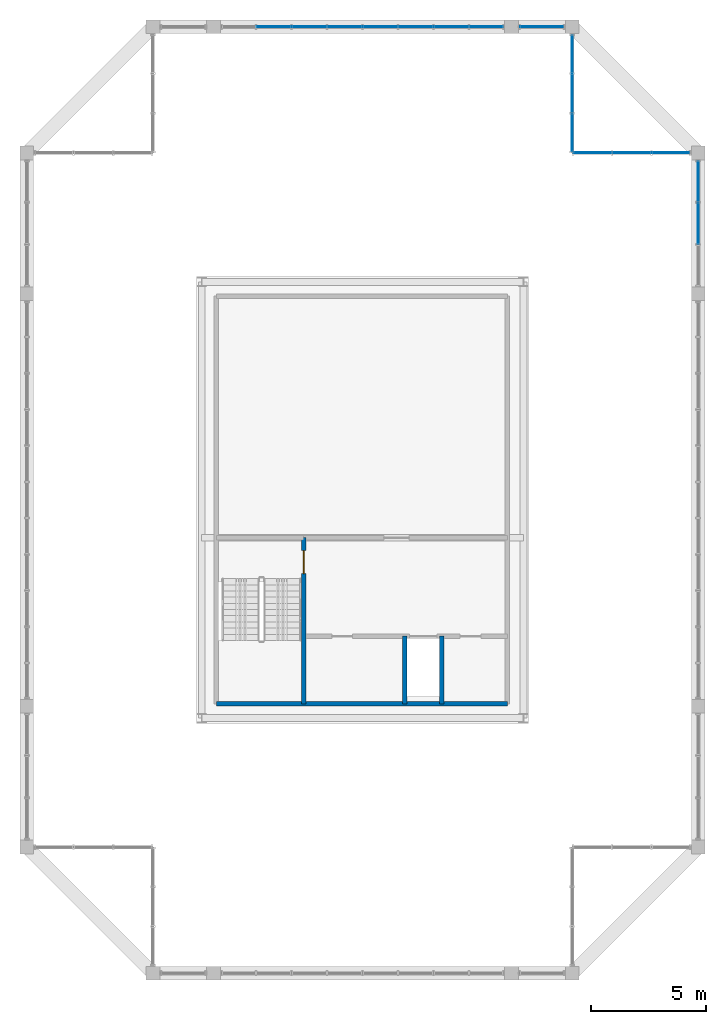
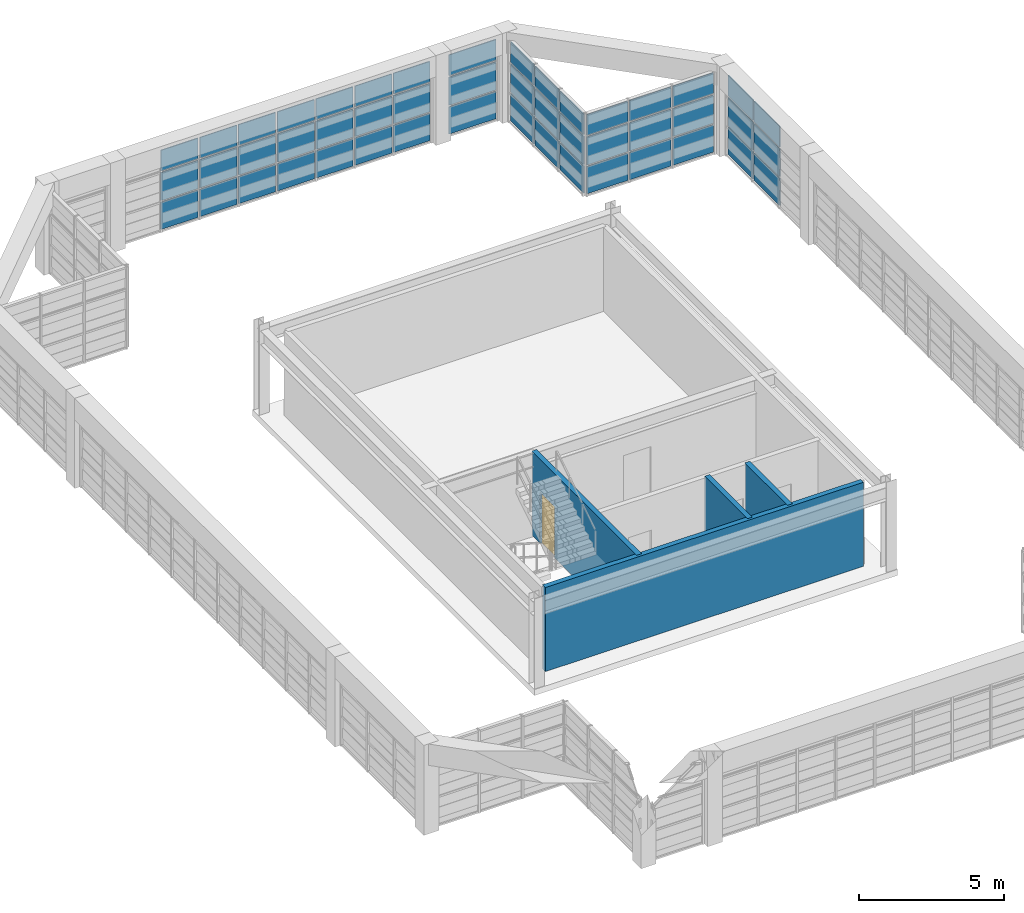
# One storey, part 23 of 27: 48 plates, 4 walls, 1 door, 1 opening, 5 elements without a shape of their own.
"""IFC4 building model written with IfcOpenShell, lengths in metres."""

from ifc_helpers import new_model, si_unit, direction, frame, frame_2d, origin, origin_2d, place, context, subcontext, project, spatial, rectangle, extrude, source, transform, mapped, material, layer, layer_set, type_object, element, fill, aggregate, save


model = new_model("IFC4")

# Units and contexts
model_context = context("Model", 3, precision=1e-05, world=origin(), true_north=direction((0.0, 1.0)))
body_context = subcontext(model_context, "Body", "Model", "MODEL_VIEW")
ifc_project = project(units=[si_unit("LENGTHUNIT", "METRE"), si_unit("AREAUNIT", "SQUARE_METRE"), si_unit("VOLUMEUNIT", "CUBIC_METRE"), si_unit("PLANEANGLEUNIT", "RADIAN"), si_unit("MASSUNIT", "GRAM", prefix="KILO")], contexts=[model_context])

# Site, building, storey
site_placement = place(None, origin())
site = spatial("IfcSite", under=ifc_project, at=site_placement, CompositionType="ELEMENT")
building_placement = place(site_placement, origin())
building = spatial("IfcBuilding", under=site, at=building_placement, Name="Saelheon Loggia Tower", CompositionType="ELEMENT")
storey_placement = place(building_placement, frame((0.0, 0.0, 263.60009765625)))
storey = spatial("IfcBuildingStorey", under=building, at=storey_placement, Name="CR4", CompositionType="ELEMENT", Elevation=263.60009765625)

# Curtain wall, plates
ifc_material_1 = material(Name="Bronze-Anodised Aluminium and Fritted Ceramic Screen", Category="aluminium")
ifc_layer_1 = layer(ifc_material_1, 0.219970703125)
ifc_layer_set_1 = layer_set([ifc_layer_1], Name="Bronze-Anodised Aluminium and Fritted Ceramic Screen")
curtain_wall_type = type_object("IfcCurtainWallType", Name="CW_CrownScreen", PredefinedType="NOTDEFINED", material=ifc_layer_set_1)
curtain_wall_1_placement = place(storey_placement, origin())
curtain_wall_1 = element("IfcCurtainWall", 1, at=curtain_wall_1_placement, inside=storey, type_object=curtain_wall_type, Name="CR4 Crown Screen Curtain Wall 6-1", PredefinedType="NOTDEFINED")
ifc_material_2 = material(Name="Bronze Ceramic Fritted Spandrel Panel", Category="aluminium")
ifc_layer_2 = layer(ifc_material_2, 0.0380859375)
ifc_layer_set_2 = layer_set([ifc_layer_2], Name="Bronze Ceramic Fritted Spandrel Panel")
plate_type = type_object("IfcPlateType", Name="CW_CrownScreen_Panel", PredefinedType="CURTAIN_PANEL", material=ifc_layer_set_2)
shared_shape_1 = source(origin(), body_context, "Body", "SweptSolid", [
    extrude(rectangle(XDim=1.889892578125, YDim=0.0380859375, at=origin_2d()), origin(), (0.0, 0.0, 1.0), 1.14501953125),
])
plate_1_placement = place(storey_placement, frame((45.824951171875, 47.64990234375, 0.06982421875), z_axis=(0.0, 0.0, 1.0), x_axis=(-1.0, 0.0, 0.0)))
plate_1 = element("IfcPlate", 2, at=plate_1_placement, type_object=plate_type, Name="CW6 panel 1.1", PredefinedType="CURTAIN_PANEL", context=body_context, shape_type="MappedRepresentation", body=[
    mapped(shared_shape_1, transform((0.0, 0.0, 0.0), scale=1.0)),
])
shared_shape_2 = source(origin(), body_context, "Body", "SweptSolid", [
    extrude(rectangle(XDim=1.889892578125, YDim=0.0380859375, at=origin_2d()), origin(), (0.0, 0.0, 1.0), 1.179931640625),
])
plate_2_placement = place(storey_placement, frame((45.824951171875, 47.64990234375, 1.28515625), z_axis=(0.0, 0.0, 1.0), x_axis=(-1.0, 0.0, 0.0)))
plate_2 = element("IfcPlate", 3, at=plate_2_placement, type_object=plate_type, Name="CW6 panel 1.2", PredefinedType="CURTAIN_PANEL", context=body_context, shape_type="MappedRepresentation", body=[
    mapped(shared_shape_2, transform((0.0, 0.0, 0.0), scale=1.0)),
])
shared_shape_3 = source(origin(), body_context, "Body", "SweptSolid", [
    extrude(rectangle(XDim=1.889892578125, YDim=0.0380859375, at=origin_2d()), origin(), (0.0, 0.0, 1.0), 0.875),
])
plate_3_placement = place(storey_placement, frame((45.824951171875, 47.64990234375, 2.534912109375), z_axis=(0.0, 0.0, 1.0), x_axis=(-1.0, 0.0, 0.0)))
plate_3 = element("IfcPlate", 4, at=plate_3_placement, type_object=plate_type, Name="CW6 panel 1.3", PredefinedType="CURTAIN_PANEL", context=body_context, shape_type="MappedRepresentation", body=[
    mapped(shared_shape_3, transform((0.0, 0.0, 0.0), scale=1.0)),
])
aggregate(curtain_wall_1, [plate_1, plate_2, plate_3])

curtain_wall_2_placement = place(storey_placement, origin())
curtain_wall_2 = element("IfcCurtainWall", 5, at=curtain_wall_2_placement, inside=storey, type_object=curtain_wall_type, Name="CR4 Crown Screen Curtain Wall 6-2", PredefinedType="NOTDEFINED")
shared_shape_4 = source(origin(), body_context, "Body", "SweptSolid", [
    extrude(rectangle(XDim=1.4423828125, YDim=0.0380859375, at=origin_2d()), origin(), (0.0, 0.0, 1.0), 1.14501953125),
])
plate_4_placement = place(storey_placement, frame((43.398681640625, 47.64990234375, 0.06982421875), z_axis=(0.0, 0.0, 1.0), x_axis=(-1.0, 0.0, 0.0)))
plate_4 = element("IfcPlate", 6, at=plate_4_placement, type_object=plate_type, Name="CW6 panel 1.1", PredefinedType="CURTAIN_PANEL", context=body_context, shape_type="MappedRepresentation", body=[
    mapped(shared_shape_4, transform((0.0, 0.0, 0.0), scale=1.0)),
])
shared_shape_5 = source(origin(), body_context, "Body", "SweptSolid", [
    extrude(rectangle(XDim=1.4423828125, YDim=0.0380859375, at=origin_2d()), origin(), (0.0, 0.0, 1.0), 1.179931640625),
])
plate_5_placement = place(storey_placement, frame((43.398681640625, 47.64990234375, 1.28515625), z_axis=(0.0, 0.0, 1.0), x_axis=(-1.0, 0.0, 0.0)))
plate_5 = element("IfcPlate", 7, at=plate_5_placement, type_object=plate_type, Name="CW6 panel 1.2", PredefinedType="CURTAIN_PANEL", context=body_context, shape_type="MappedRepresentation", body=[
    mapped(shared_shape_5, transform((0.0, 0.0, 0.0), scale=1.0)),
])
shared_shape_6 = source(origin(), body_context, "Body", "SweptSolid", [
    extrude(rectangle(XDim=1.4423828125, YDim=0.0380859375, at=origin_2d()), origin(), (0.0, 0.0, 1.0), 0.875),
])
plate_6_placement = place(storey_placement, frame((43.398681640625, 47.64990234375, 2.534912109375), z_axis=(0.0, 0.0, 1.0), x_axis=(-1.0, 0.0, 0.0)))
plate_6 = element("IfcPlate", 8, at=plate_6_placement, type_object=plate_type, Name="CW6 panel 1.3", PredefinedType="CURTAIN_PANEL", context=body_context, shape_type="MappedRepresentation", body=[
    mapped(shared_shape_6, transform((0.0, 0.0, 0.0), scale=1.0)),
])
shared_shape_7 = source(origin(), body_context, "Body", "SweptSolid", [
    extrude(rectangle(XDim=1.4775390625, YDim=0.0380859375, at=origin_2d()), origin(), (0.0, 0.0, 1.0), 1.14501953125),
])
plate_7_placement = place(storey_placement, frame((41.86865234375, 47.64990234375, 0.06982421875), z_axis=(0.0, 0.0, 1.0), x_axis=(-1.0, 0.0, 0.0)))
plate_7 = element("IfcPlate", 9, at=plate_7_placement, type_object=plate_type, Name="CW6 panel 2.1", PredefinedType="CURTAIN_PANEL", context=body_context, shape_type="MappedRepresentation", body=[
    mapped(shared_shape_7, transform((0.0, 0.0, 0.0), scale=1.0)),
])
plate_8_placement = place(storey_placement, frame((40.3212890625, 47.64990234375, 0.06982421875), z_axis=(0.0, 0.0, 1.0), x_axis=(-1.0, 0.0, 0.0)))
plate_8 = element("IfcPlate", 10, at=plate_8_placement, type_object=plate_type, Name="CW6 panel 3.1", PredefinedType="CURTAIN_PANEL", context=body_context, shape_type="MappedRepresentation", body=[
    mapped(shared_shape_7, transform((0.0, 0.0, 0.0), scale=1.0)),
])
plate_9_placement = place(storey_placement, frame((38.773681640625, 47.64990234375, 0.06982421875), z_axis=(0.0, 0.0, 1.0), x_axis=(-1.0, 0.0, 0.0)))
plate_9 = element("IfcPlate", 11, at=plate_9_placement, type_object=plate_type, Name="CW6 panel 4.1", PredefinedType="CURTAIN_PANEL", context=body_context, shape_type="MappedRepresentation", body=[
    mapped(shared_shape_7, transform((0.0, 0.0, 0.0), scale=1.0)),
])
plate_10_placement = place(storey_placement, frame((37.226318359375, 47.64990234375, 0.06982421875), z_axis=(0.0, 0.0, 1.0), x_axis=(-1.0, 0.0, 0.0)))
plate_10 = element("IfcPlate", 12, at=plate_10_placement, type_object=plate_type, Name="CW6 panel 5.1", PredefinedType="CURTAIN_PANEL", context=body_context, shape_type="MappedRepresentation", body=[
    mapped(shared_shape_7, transform((0.0, 0.0, 0.0), scale=1.0)),
])
plate_11_placement = place(storey_placement, frame((35.6787109375, 47.64990234375, 0.06982421875), z_axis=(0.0, 0.0, 1.0), x_axis=(-1.0, 0.0, 0.0)))
plate_11 = element("IfcPlate", 13, at=plate_11_placement, type_object=plate_type, Name="CW6 panel 6.1", PredefinedType="CURTAIN_PANEL", context=body_context, shape_type="MappedRepresentation", body=[
    mapped(shared_shape_7, transform((0.0, 0.0, 0.0), scale=1.0)),
])
plate_12_placement = place(storey_placement, frame((34.13134765625, 47.64990234375, 0.06982421875), z_axis=(0.0, 0.0, 1.0), x_axis=(-1.0, 0.0, 0.0)))
plate_12 = element("IfcPlate", 14, at=plate_12_placement, type_object=plate_type, Name="CW6 panel 7.1", PredefinedType="CURTAIN_PANEL", context=body_context, shape_type="MappedRepresentation", body=[
    mapped(shared_shape_7, transform((0.0, 0.0, 0.0), scale=1.0)),
])
shared_shape_8 = source(origin(), body_context, "Body", "SweptSolid", [
    extrude(rectangle(XDim=1.4775390625, YDim=0.0380859375, at=origin_2d()), origin(), (0.0, 0.0, 1.0), 1.179931640625),
])
plate_13_placement = place(storey_placement, frame((41.86865234375, 47.64990234375, 1.28515625), z_axis=(0.0, 0.0, 1.0), x_axis=(-1.0, 0.0, 0.0)))
plate_13 = element("IfcPlate", 15, at=plate_13_placement, type_object=plate_type, Name="CW6 panel 2.2", PredefinedType="CURTAIN_PANEL", context=body_context, shape_type="MappedRepresentation", body=[
    mapped(shared_shape_8, transform((0.0, 0.0, 0.0), scale=1.0)),
])
plate_14_placement = place(storey_placement, frame((40.3212890625, 47.64990234375, 1.28515625), z_axis=(0.0, 0.0, 1.0), x_axis=(-1.0, 0.0, 0.0)))
plate_14 = element("IfcPlate", 16, at=plate_14_placement, type_object=plate_type, Name="CW6 panel 3.2", PredefinedType="CURTAIN_PANEL", context=body_context, shape_type="MappedRepresentation", body=[
    mapped(shared_shape_8, transform((0.0, 0.0, 0.0), scale=1.0)),
])
plate_15_placement = place(storey_placement, frame((38.773681640625, 47.64990234375, 1.28515625), z_axis=(0.0, 0.0, 1.0), x_axis=(-1.0, 0.0, 0.0)))
plate_15 = element("IfcPlate", 17, at=plate_15_placement, type_object=plate_type, Name="CW6 panel 4.2", PredefinedType="CURTAIN_PANEL", context=body_context, shape_type="MappedRepresentation", body=[
    mapped(shared_shape_8, transform((0.0, 0.0, 0.0), scale=1.0)),
])
plate_16_placement = place(storey_placement, frame((37.226318359375, 47.64990234375, 1.28515625), z_axis=(0.0, 0.0, 1.0), x_axis=(-1.0, 0.0, 0.0)))
plate_16 = element("IfcPlate", 18, at=plate_16_placement, type_object=plate_type, Name="CW6 panel 5.2", PredefinedType="CURTAIN_PANEL", context=body_context, shape_type="MappedRepresentation", body=[
    mapped(shared_shape_8, transform((0.0, 0.0, 0.0), scale=1.0)),
])
plate_17_placement = place(storey_placement, frame((35.6787109375, 47.64990234375, 1.28515625), z_axis=(0.0, 0.0, 1.0), x_axis=(-1.0, 0.0, 0.0)))
plate_17 = element("IfcPlate", 19, at=plate_17_placement, type_object=plate_type, Name="CW6 panel 6.2", PredefinedType="CURTAIN_PANEL", context=body_context, shape_type="MappedRepresentation", body=[
    mapped(shared_shape_8, transform((0.0, 0.0, 0.0), scale=1.0)),
])
plate_18_placement = place(storey_placement, frame((34.13134765625, 47.64990234375, 1.28515625), z_axis=(0.0, 0.0, 1.0), x_axis=(-1.0, 0.0, 0.0)))
plate_18 = element("IfcPlate", 20, at=plate_18_placement, type_object=plate_type, Name="CW6 panel 7.2", PredefinedType="CURTAIN_PANEL", context=body_context, shape_type="MappedRepresentation", body=[
    mapped(shared_shape_8, transform((0.0, 0.0, 0.0), scale=1.0)),
])
shared_shape_9 = source(origin(), body_context, "Body", "SweptSolid", [
    extrude(rectangle(XDim=1.4775390625, YDim=0.0380859375, at=origin_2d()), origin(), (0.0, 0.0, 1.0), 0.875),
])
plate_19_placement = place(storey_placement, frame((41.86865234375, 47.64990234375, 2.534912109375), z_axis=(0.0, 0.0, 1.0), x_axis=(-1.0, 0.0, 0.0)))
plate_19 = element("IfcPlate", 21, at=plate_19_placement, type_object=plate_type, Name="CW6 panel 2.3", PredefinedType="CURTAIN_PANEL", context=body_context, shape_type="MappedRepresentation", body=[
    mapped(shared_shape_9, transform((0.0, 0.0, 0.0), scale=1.0)),
])
plate_20_placement = place(storey_placement, frame((40.3212890625, 47.64990234375, 2.534912109375), z_axis=(0.0, 0.0, 1.0), x_axis=(-1.0, 0.0, 0.0)))
plate_20 = element("IfcPlate", 22, at=plate_20_placement, type_object=plate_type, Name="CW6 panel 3.3", PredefinedType="CURTAIN_PANEL", context=body_context, shape_type="MappedRepresentation", body=[
    mapped(shared_shape_9, transform((0.0, 0.0, 0.0), scale=1.0)),
])
plate_21_placement = place(storey_placement, frame((38.773681640625, 47.64990234375, 2.534912109375), z_axis=(0.0, 0.0, 1.0), x_axis=(-1.0, 0.0, 0.0)))
plate_21 = element("IfcPlate", 23, at=plate_21_placement, type_object=plate_type, Name="CW6 panel 4.3", PredefinedType="CURTAIN_PANEL", context=body_context, shape_type="MappedRepresentation", body=[
    mapped(shared_shape_9, transform((0.0, 0.0, 0.0), scale=1.0)),
])
plate_22_placement = place(storey_placement, frame((37.226318359375, 47.64990234375, 2.534912109375), z_axis=(0.0, 0.0, 1.0), x_axis=(-1.0, 0.0, 0.0)))
plate_22 = element("IfcPlate", 24, at=plate_22_placement, type_object=plate_type, Name="CW6 panel 5.3", PredefinedType="CURTAIN_PANEL", context=body_context, shape_type="MappedRepresentation", body=[
    mapped(shared_shape_9, transform((0.0, 0.0, 0.0), scale=1.0)),
])
plate_23_placement = place(storey_placement, frame((35.6787109375, 47.64990234375, 2.534912109375), z_axis=(0.0, 0.0, 1.0), x_axis=(-1.0, 0.0, 0.0)))
plate_23 = element("IfcPlate", 25, at=plate_23_placement, type_object=plate_type, Name="CW6 panel 6.3", PredefinedType="CURTAIN_PANEL", context=body_context, shape_type="MappedRepresentation", body=[
    mapped(shared_shape_9, transform((0.0, 0.0, 0.0), scale=1.0)),
])
plate_24_placement = place(storey_placement, frame((34.13134765625, 47.64990234375, 2.534912109375), z_axis=(0.0, 0.0, 1.0), x_axis=(-1.0, 0.0, 0.0)))
plate_24 = element("IfcPlate", 26, at=plate_24_placement, type_object=plate_type, Name="CW6 panel 7.3", PredefinedType="CURTAIN_PANEL", context=body_context, shape_type="MappedRepresentation", body=[
    mapped(shared_shape_9, transform((0.0, 0.0, 0.0), scale=1.0)),
])
aggregate(curtain_wall_2, [plate_4, plate_5, plate_6, plate_7, plate_13, plate_19, plate_8, plate_14, plate_20, plate_9, plate_15, plate_21, plate_10, plate_16, plate_22, plate_11, plate_17, plate_23, plate_12, plate_18, plate_24])

curtain_wall_3_placement = place(storey_placement, origin())
curtain_wall_3 = element("IfcCurtainWall", 27, at=curtain_wall_3_placement, inside=storey, type_object=curtain_wall_type, Name="CR4 Crown Screen Curtain Wall 4-1", PredefinedType="NOTDEFINED")
shared_shape_10 = source(origin(), body_context, "Body", "SweptSolid", [
    extrude(rectangle(XDim=1.625, YDim=0.0380859375, at=origin_2d()), origin(), (0.0, 0.0, 1.0), 1.14501953125),
])
plate_25_placement = place(storey_placement, frame((51.45751953125, 42.14990234375, 0.06982421875), z_axis=(0.0, 0.0, 1.0), x_axis=(-1.0, 0.0, 0.0)))
plate_25 = element("IfcPlate", 28, at=plate_25_placement, type_object=plate_type, Name="CW6 panel 1.1", PredefinedType="CURTAIN_PANEL", context=body_context, shape_type="MappedRepresentation", body=[
    mapped(shared_shape_10, transform((0.0, 0.0, 0.0), scale=1.0)),
])
plate_26_placement = place(storey_placement, frame((48.032470703125, 42.14990234375, 0.06982421875), z_axis=(0.0, 0.0, 1.0), x_axis=(-1.0, 0.0, 0.0)))
plate_26 = element("IfcPlate", 29, at=plate_26_placement, type_object=plate_type, Name="CW6 panel 3.1", PredefinedType="CURTAIN_PANEL", context=body_context, shape_type="MappedRepresentation", body=[
    mapped(shared_shape_10, transform((0.0, 0.0, 0.0), scale=1.0)),
])

curtain_wall_4_placement = place(storey_placement, origin())
curtain_wall_4 = element("IfcCurtainWall", 30, at=curtain_wall_4_placement, inside=storey, type_object=curtain_wall_type, Name="CR4 Crown Screen Curtain Wall 5-1", PredefinedType="NOTDEFINED")
plate_27_placement = place(storey_placement, frame((47.14990234375, 43.032470703125, 0.06982421875), z_axis=(0.0, 0.0, 1.0), x_axis=(0.0, 1.0, 0.0)))
plate_27 = element("IfcPlate", 31, at=plate_27_placement, type_object=plate_type, Name="CW6 panel 1.1", PredefinedType="CURTAIN_PANEL", context=body_context, shape_type="MappedRepresentation", body=[
    mapped(shared_shape_10, transform((0.0, 0.0, 0.0), scale=1.0)),
])
plate_28_placement = place(storey_placement, frame((47.14990234375, 46.45751953125, 0.06982421875), z_axis=(0.0, 0.0, 1.0), x_axis=(0.0, 1.0, 0.0)))
plate_28 = element("IfcPlate", 32, at=plate_28_placement, type_object=plate_type, Name="CW6 panel 3.1", PredefinedType="CURTAIN_PANEL", context=body_context, shape_type="MappedRepresentation", body=[
    mapped(shared_shape_10, transform((0.0, 0.0, 0.0), scale=1.0)),
])

# Plate
shared_shape_11 = source(origin(), body_context, "Body", "SweptSolid", [
    extrude(rectangle(XDim=1.625, YDim=0.0380859375, at=origin_2d()), origin(), (0.0, 0.0, 1.0), 1.179931640625),
])
plate_29_placement = place(storey_placement, frame((51.45751953125, 42.14990234375, 1.28515625), z_axis=(0.0, 0.0, 1.0), x_axis=(-1.0, 0.0, 0.0)))
plate_29 = element("IfcPlate", 33, at=plate_29_placement, type_object=plate_type, Name="CW6 panel 1.2", PredefinedType="CURTAIN_PANEL", context=body_context, shape_type="MappedRepresentation", body=[
    mapped(shared_shape_11, transform((0.0, 0.0, 0.0), scale=1.0)),
])

plate_30_placement = place(storey_placement, frame((48.032470703125, 42.14990234375, 1.28515625), z_axis=(0.0, 0.0, 1.0), x_axis=(-1.0, 0.0, 0.0)))
plate_30 = element("IfcPlate", 34, at=plate_30_placement, type_object=plate_type, Name="CW6 panel 3.2", PredefinedType="CURTAIN_PANEL", context=body_context, shape_type="MappedRepresentation", body=[
    mapped(shared_shape_11, transform((0.0, 0.0, 0.0), scale=1.0)),
])

plate_31_placement = place(storey_placement, frame((47.14990234375, 43.032470703125, 1.28515625), z_axis=(0.0, 0.0, 1.0), x_axis=(0.0, 1.0, 0.0)))
plate_31 = element("IfcPlate", 35, at=plate_31_placement, type_object=plate_type, Name="CW6 panel 1.2", PredefinedType="CURTAIN_PANEL", context=body_context, shape_type="MappedRepresentation", body=[
    mapped(shared_shape_11, transform((0.0, 0.0, 0.0), scale=1.0)),
])

plate_32_placement = place(storey_placement, frame((47.14990234375, 46.45751953125, 1.28515625), z_axis=(0.0, 0.0, 1.0), x_axis=(0.0, 1.0, 0.0)))
plate_32 = element("IfcPlate", 36, at=plate_32_placement, type_object=plate_type, Name="CW6 panel 3.2", PredefinedType="CURTAIN_PANEL", context=body_context, shape_type="MappedRepresentation", body=[
    mapped(shared_shape_11, transform((0.0, 0.0, 0.0), scale=1.0)),
])

shared_shape_12 = source(origin(), body_context, "Body", "SweptSolid", [
    extrude(rectangle(XDim=1.625, YDim=0.0380859375, at=origin_2d()), origin(), (0.0, 0.0, 1.0), 0.875),
])
plate_33_placement = place(storey_placement, frame((51.45751953125, 42.14990234375, 2.534912109375), z_axis=(0.0, 0.0, 1.0), x_axis=(-1.0, 0.0, 0.0)))
plate_33 = element("IfcPlate", 37, at=plate_33_placement, type_object=plate_type, Name="CW6 panel 1.3", PredefinedType="CURTAIN_PANEL", context=body_context, shape_type="MappedRepresentation", body=[
    mapped(shared_shape_12, transform((0.0, 0.0, 0.0), scale=1.0)),
])

plate_34_placement = place(storey_placement, frame((48.032470703125, 42.14990234375, 2.534912109375), z_axis=(0.0, 0.0, 1.0), x_axis=(-1.0, 0.0, 0.0)))
plate_34 = element("IfcPlate", 38, at=plate_34_placement, type_object=plate_type, Name="CW6 panel 3.3", PredefinedType="CURTAIN_PANEL", context=body_context, shape_type="MappedRepresentation", body=[
    mapped(shared_shape_12, transform((0.0, 0.0, 0.0), scale=1.0)),
])

plate_35_placement = place(storey_placement, frame((47.14990234375, 43.032470703125, 2.534912109375), z_axis=(0.0, 0.0, 1.0), x_axis=(0.0, 1.0, 0.0)))
plate_35 = element("IfcPlate", 39, at=plate_35_placement, type_object=plate_type, Name="CW6 panel 1.3", PredefinedType="CURTAIN_PANEL", context=body_context, shape_type="MappedRepresentation", body=[
    mapped(shared_shape_12, transform((0.0, 0.0, 0.0), scale=1.0)),
])

plate_36_placement = place(storey_placement, frame((47.14990234375, 46.45751953125, 2.534912109375), z_axis=(0.0, 0.0, 1.0), x_axis=(0.0, 1.0, 0.0)))
plate_36 = element("IfcPlate", 40, at=plate_36_placement, type_object=plate_type, Name="CW6 panel 3.3", PredefinedType="CURTAIN_PANEL", context=body_context, shape_type="MappedRepresentation", body=[
    mapped(shared_shape_12, transform((0.0, 0.0, 0.0), scale=1.0)),
])

shared_shape_13 = source(origin(), body_context, "Body", "SweptSolid", [
    extrude(rectangle(XDim=1.659912109375, YDim=0.0380859375, at=origin_2d()), origin(), (0.0, 0.0, 1.0), 1.14501953125),
])
plate_37_placement = place(storey_placement, frame((49.7451171875, 42.14990234375, 0.06982421875), z_axis=(0.0, 0.0, 1.0), x_axis=(-1.0, 0.0, 0.0)))
plate_37 = element("IfcPlate", 41, at=plate_37_placement, type_object=plate_type, Name="CW6 panel 2.1", PredefinedType="CURTAIN_PANEL", context=body_context, shape_type="MappedRepresentation", body=[
    mapped(shared_shape_13, transform((0.0, 0.0, 0.0), scale=1.0)),
])

plate_38_placement = place(storey_placement, frame((47.14990234375, 44.7451171875, 0.06982421875), z_axis=(0.0, 0.0, 1.0), x_axis=(0.0, 1.0, 0.0)))
plate_38 = element("IfcPlate", 42, at=plate_38_placement, type_object=plate_type, Name="CW6 panel 2.1", PredefinedType="CURTAIN_PANEL", context=body_context, shape_type="MappedRepresentation", body=[
    mapped(shared_shape_13, transform((0.0, 0.0, 0.0), scale=1.0)),
])

shared_shape_14 = source(origin(), body_context, "Body", "SweptSolid", [
    extrude(rectangle(XDim=1.659912109375, YDim=0.0380859375, at=origin_2d()), origin(), (0.0, 0.0, 1.0), 1.179931640625),
])
plate_39_placement = place(storey_placement, frame((49.7451171875, 42.14990234375, 1.28515625), z_axis=(0.0, 0.0, 1.0), x_axis=(-1.0, 0.0, 0.0)))
plate_39 = element("IfcPlate", 43, at=plate_39_placement, type_object=plate_type, Name="CW6 panel 2.2", PredefinedType="CURTAIN_PANEL", context=body_context, shape_type="MappedRepresentation", body=[
    mapped(shared_shape_14, transform((0.0, 0.0, 0.0), scale=1.0)),
])

plate_40_placement = place(storey_placement, frame((47.14990234375, 44.7451171875, 1.28515625), z_axis=(0.0, 0.0, 1.0), x_axis=(0.0, 1.0, 0.0)))
plate_40 = element("IfcPlate", 44, at=plate_40_placement, type_object=plate_type, Name="CW6 panel 2.2", PredefinedType="CURTAIN_PANEL", context=body_context, shape_type="MappedRepresentation", body=[
    mapped(shared_shape_14, transform((0.0, 0.0, 0.0), scale=1.0)),
])

shared_shape_15 = source(origin(), body_context, "Body", "SweptSolid", [
    extrude(rectangle(XDim=1.659912109375, YDim=0.0380859375, at=origin_2d()), origin(), (0.0, 0.0, 1.0), 0.875),
])
plate_41_placement = place(storey_placement, frame((49.7451171875, 42.14990234375, 2.534912109375), z_axis=(0.0, 0.0, 1.0), x_axis=(-1.0, 0.0, 0.0)))
plate_41 = element("IfcPlate", 45, at=plate_41_placement, type_object=plate_type, Name="CW6 panel 2.3", PredefinedType="CURTAIN_PANEL", context=body_context, shape_type="MappedRepresentation", body=[
    mapped(shared_shape_15, transform((0.0, 0.0, 0.0), scale=1.0)),
])

aggregate(curtain_wall_3, [plate_25, plate_29, plate_33, plate_37, plate_39, plate_41, plate_26, plate_30, plate_34])

plate_42_placement = place(storey_placement, frame((47.14990234375, 44.7451171875, 2.534912109375), z_axis=(0.0, 0.0, 1.0), x_axis=(0.0, 1.0, 0.0)))
plate_42 = element("IfcPlate", 46, at=plate_42_placement, type_object=plate_type, Name="CW6 panel 2.3", PredefinedType="CURTAIN_PANEL", context=body_context, shape_type="MappedRepresentation", body=[
    mapped(shared_shape_15, transform((0.0, 0.0, 0.0), scale=1.0)),
])

aggregate(curtain_wall_4, [plate_27, plate_31, plate_35, plate_38, plate_40, plate_42, plate_28, plate_32, plate_36])

# Curtain wall, plates
curtain_wall_5_placement = place(storey_placement, origin())
curtain_wall_5 = element("IfcCurtainWall", 47, at=curtain_wall_5_placement, inside=storey, type_object=curtain_wall_type, Name="CR4 Crown Screen Curtain Wall 3-3", PredefinedType="NOTDEFINED")
shared_shape_16 = source(origin(), body_context, "Body", "SweptSolid", [
    extrude(rectangle(XDim=1.73828125, YDim=0.0380859375, at=origin_2d()), origin(), (0.0, 0.0, 1.0), 1.14501953125),
])
plate_43_placement = place(storey_placement, frame((52.64990234375, 40.90087890625, 0.06982421875), z_axis=(0.0, 0.0, 1.0), x_axis=(0.0, 1.0, 0.0)))
plate_43 = element("IfcPlate", 48, at=plate_43_placement, type_object=plate_type, Name="CW6 panel 3.1", PredefinedType="CURTAIN_PANEL", context=body_context, shape_type="MappedRepresentation", body=[
    mapped(shared_shape_16, transform((0.0, 0.0, 0.0), scale=1.0)),
])
shared_shape_17 = source(origin(), body_context, "Body", "SweptSolid", [
    extrude(rectangle(XDim=1.73828125, YDim=0.0380859375, at=origin_2d()), origin(), (0.0, 0.0, 1.0), 1.179931640625),
])
plate_44_placement = place(storey_placement, frame((52.64990234375, 40.90087890625, 1.28515625), z_axis=(0.0, 0.0, 1.0), x_axis=(0.0, 1.0, 0.0)))
plate_44 = element("IfcPlate", 49, at=plate_44_placement, type_object=plate_type, Name="CW6 panel 3.2", PredefinedType="CURTAIN_PANEL", context=body_context, shape_type="MappedRepresentation", body=[
    mapped(shared_shape_17, transform((0.0, 0.0, 0.0), scale=1.0)),
])
shared_shape_18 = source(origin(), body_context, "Body", "SweptSolid", [
    extrude(rectangle(XDim=1.73828125, YDim=0.0380859375, at=origin_2d()), origin(), (0.0, 0.0, 1.0), 0.875),
])
plate_45_placement = place(storey_placement, frame((52.64990234375, 40.90087890625, 2.534912109375), z_axis=(0.0, 0.0, 1.0), x_axis=(0.0, 1.0, 0.0)))
plate_45 = element("IfcPlate", 50, at=plate_45_placement, type_object=plate_type, Name="CW6 panel 3.3", PredefinedType="CURTAIN_PANEL", context=body_context, shape_type="MappedRepresentation", body=[
    mapped(shared_shape_18, transform((0.0, 0.0, 0.0), scale=1.0)),
])
shared_shape_19 = source(origin(), body_context, "Body", "SweptSolid", [
    extrude(rectangle(XDim=1.7734375, YDim=0.0380859375, at=origin_2d()), origin(), (0.0, 0.0, 1.0), 1.14501953125),
])
plate_46_placement = place(storey_placement, frame((52.64990234375, 39.074951171875, 0.06982421875), z_axis=(0.0, 0.0, 1.0), x_axis=(0.0, 1.0, 0.0)))
plate_46 = element("IfcPlate", 51, at=plate_46_placement, type_object=plate_type, Name="CW6 panel 2.1", PredefinedType="CURTAIN_PANEL", context=body_context, shape_type="MappedRepresentation", body=[
    mapped(shared_shape_19, transform((0.0, 0.0, 0.0), scale=1.0)),
])
shared_shape_20 = source(origin(), body_context, "Body", "SweptSolid", [
    extrude(rectangle(XDim=1.7734375, YDim=0.0380859375, at=origin_2d()), origin(), (0.0, 0.0, 1.0), 1.179931640625),
])
plate_47_placement = place(storey_placement, frame((52.64990234375, 39.074951171875, 1.28515625), z_axis=(0.0, 0.0, 1.0), x_axis=(0.0, 1.0, 0.0)))
plate_47 = element("IfcPlate", 52, at=plate_47_placement, type_object=plate_type, Name="CW6 panel 2.2", PredefinedType="CURTAIN_PANEL", context=body_context, shape_type="MappedRepresentation", body=[
    mapped(shared_shape_20, transform((0.0, 0.0, 0.0), scale=1.0)),
])
shared_shape_21 = source(origin(), body_context, "Body", "SweptSolid", [
    extrude(rectangle(XDim=1.7734375, YDim=0.0380859375, at=origin_2d()), origin(), (0.0, 0.0, 1.0), 0.875),
])
plate_48_placement = place(storey_placement, frame((52.64990234375, 39.074951171875, 2.534912109375), z_axis=(0.0, 0.0, 1.0), x_axis=(0.0, 1.0, 0.0)))
plate_48 = element("IfcPlate", 53, at=plate_48_placement, type_object=plate_type, Name="CW6 panel 2.3", PredefinedType="CURTAIN_PANEL", context=body_context, shape_type="MappedRepresentation", body=[
    mapped(shared_shape_21, transform((0.0, 0.0, 0.0), scale=1.0)),
])
aggregate(curtain_wall_5, [plate_46, plate_47, plate_48, plate_43, plate_44, plate_45])

# Walls
ifc_material_3 = material(Name="Concrete C40/50", Category="concrete")
ifc_layer_3 = layer(ifc_material_3, 0.199951171875)
ifc_layer_set_3 = layer_set([ifc_layer_3], Name="Concrete C40/50")
wall_type_1 = type_object("IfcWallType", Name="Wall_Shaft_200", PredefinedType="PARTITIONING", material=ifc_layer_set_3)
for number, where, z_axis, x_axis, name in (
    (54, (39.85009765625, 18.10009765625, 0.0), (0.0, 0.0, 1.0), (0.0, 1.0, 0.0), "CR4 SV1 Shaft West Wall"),
    (55, (41.449951171875, 18.10009765625, 0.0), (0.0, 0.0, 1.0), (0.0, 1.0, 0.0), "CR4 SV1 Shaft East Wall"),
):
    element("IfcWall", number, at=place(storey_placement, frame(where, z_axis=z_axis, x_axis=x_axis)), inside=storey, type_object=wall_type_1, Name=name, PredefinedType="PARTITIONING", context=body_context, shape_type="SweptSolid", body=[
        extrude(rectangle(XDim=2.9599609375, YDim=0.199951171875, at=frame_2d((1.47998046875, 0.0))), origin(), (0.0, 0.0, 1.0), 3.5498046875),
    ])
ifc_material_4 = material(Name="Concrete C45/55", Category="concrete")
ifc_layer_4 = layer(ifc_material_4, 0.199951171875)
ifc_layer_set_4 = layer_set([ifc_layer_4], Name="Concrete C45/55")
wall_type_2 = type_object("IfcWallType", Name="Wall_StairShaft_RC200", PredefinedType="SOLIDWALL", material=ifc_layer_set_4)
wall_1_placement = place(storey_placement, frame((31.6201171875, 18.10009765625, 0.0), z_axis=(0.0, 0.0, 1.0), x_axis=(1.0, 0.0, 0.0)))
element("IfcWall", 56, at=wall_1_placement, inside=storey, type_object=wall_type_2, Name="CR4 Crown Core South Enclosure Wall", PredefinedType="SOLIDWALL", context=body_context, shape_type="SweptSolid", body=[
    extrude(rectangle(XDim=12.699951171875, YDim=0.199951171875, at=frame_2d((6.35009765625, 0.0))), origin(), (0.0, 0.0, 1.0), 3.5498046875),
])

# Wall, opening, door
wall_2_placement = place(storey_placement, frame((35.429931640625, 18.10009765625, 0.0), z_axis=(0.0, 0.0, 1.0), x_axis=(0.0, 1.0, 0.0)))
wall_2 = element("IfcWall", 57, at=wall_2_placement, inside=storey, type_object=wall_type_2, Name="CR4 ST5 Shaft East Wall", PredefinedType="SOLIDWALL", context=body_context, shape_type="SweptSolid", body=[
    extrude(rectangle(XDim=7.260009765625, YDim=0.199951171875, at=frame_2d((3.6298828125, 0.0))), origin(), (0.0, 0.0, 1.0), 3.5498046875),
])
opening_placement = place(wall_2_placement, frame((6.68994140625, 0.0, 0.0), z_axis=(0.0, 0.0, 1.0), x_axis=(-1.0, 0.0, 0.0)))
opening = element("IfcOpeningElement", 58, at=opening_placement, cuts=wall_2, Name="Opening D-FD2C", PredefinedType="OPENING", context=body_context, shape_type="SweptSolid", body=[
    extrude(rectangle(XDim=1.0, YDim=2.14990234375, at=frame_2d((0.5, 1.074951171875))), frame((0.0, 0.112060546875, 0.0), z_axis=(0.0, -1.0, 0.0), x_axis=(1.0, 0.0, 0.0)), (0.0, 0.0, 1.0), 0.223876953125),
])
ifc_material_5 = material(Name="Galvanised Steel Fire Door", Category="steel")
door_type = type_object("IfcDoorType", Name="Door_Fire_FD60_1000", OperationType="NOTDEFINED", PredefinedType="DOOR", material=ifc_material_5)
shared_shape_22 = source(origin(), body_context, "Body", "SweptSolid", [
    extrude(rectangle(XDim=1.0, YDim=2.14990234375, at=frame_2d((0.5, 1.074951171875))), frame((0.0, 0.02490234375, 0.0), z_axis=(0.0, -1.0, 0.0), x_axis=(1.0, 0.0, 0.0)), (0.0, 0.0, 1.0), 0.050048828125),
])
door_placement = place(opening_placement, origin())
door = element("IfcDoor", 59, at=door_placement, inside=storey, type_object=door_type, Name="CR4 Crown Stair ST5 Door", OperationType="SINGLE_SWING_RIGHT", OverallHeight=2.14990234375, OverallWidth=1.0, PredefinedType="DOOR", context=body_context, shape_type="MappedRepresentation", body=[
    mapped(shared_shape_22, transform((0.0, 0.0, 0.0), scale=1.0)),
])
fill(opening, door)

save(model, "model.ifc")
